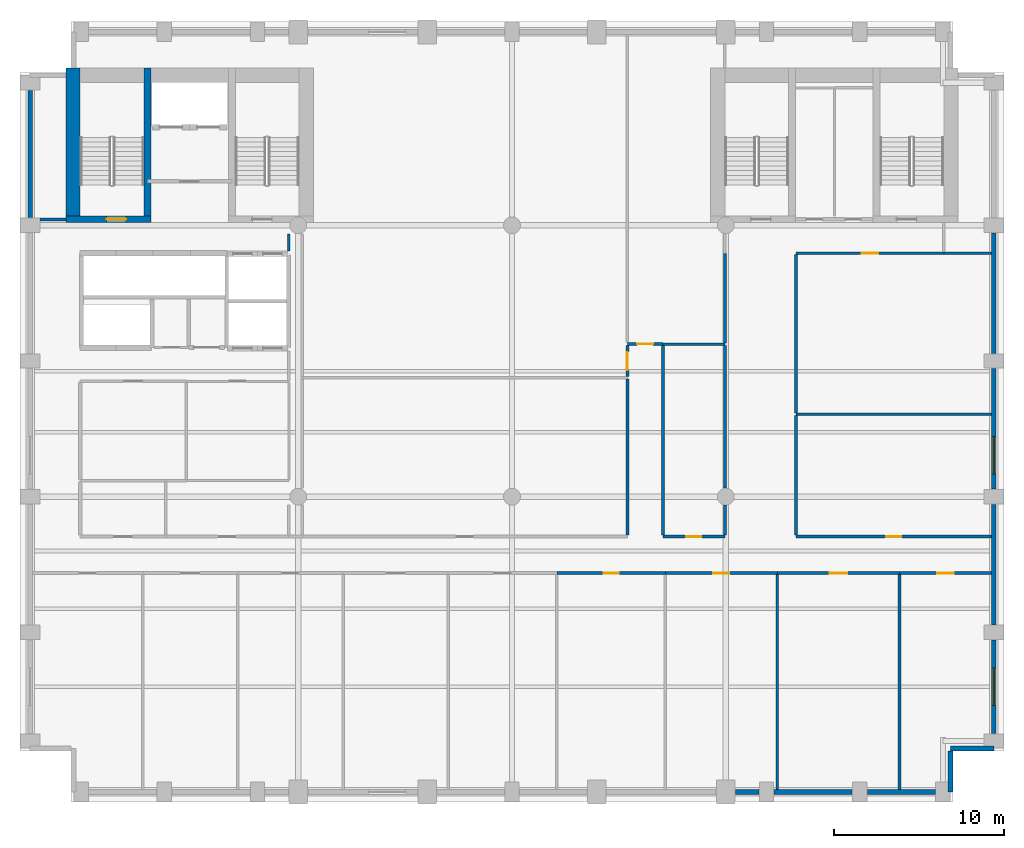
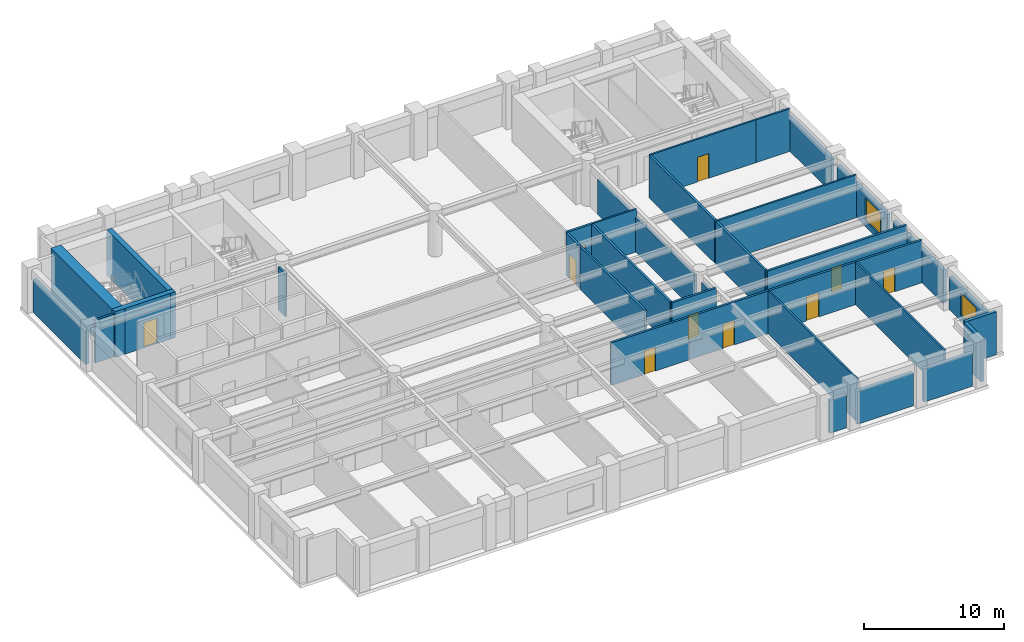
# One storey, part 4 of 8: 36 walls, 10 doors, 2 windows, 12 openings.
"""IFC4 building model written with IfcOpenShell, lengths in metres."""

from ifc_helpers import new_model, si_unit, direction, frame, frame_2d, origin, place, context, subcontext, project, spatial, rectangle, extrude, material, layer, layer_set, type_object, element, fill, save


model = new_model("IFC4")

# Units and contexts
model_context = context("Model", 3, precision=1e-05, world=origin(), true_north=direction((0.0, 1.0)))
body_context = subcontext(model_context, "Body", "Model", "MODEL_VIEW")
ifc_project = project(units=[si_unit("LENGTHUNIT", "METRE"), si_unit("AREAUNIT", "SQUARE_METRE"), si_unit("VOLUMEUNIT", "CUBIC_METRE"), si_unit("PLANEANGLEUNIT", "RADIAN"), si_unit("MASSUNIT", "GRAM", prefix="KILO")], contexts=[model_context])

# Site, building, storey
site_placement = place(None, origin())
site = spatial("IfcSite", under=ifc_project, at=site_placement, CompositionType="ELEMENT")
building_placement = place(site_placement, origin())
building = spatial("IfcBuilding", under=site, at=building_placement, Name="Sulina Concourse Tower", CompositionType="ELEMENT")
storey_placement = place(building_placement, frame((0.0, 0.0, 148.60009765625)))
storey = spatial("IfcBuildingStorey", under=building, at=storey_placement, Name="L36", CompositionType="ELEMENT", Elevation=148.60009765625)

# Walls
ifc_material_1 = material(Name="Gypsum board on steel stud", Category="steel")
ifc_layer_1 = layer(ifc_material_1, 0.14990234375)
ifc_layer_set_1 = layer_set([ifc_layer_1], Name="Gypsum board on steel stud")
wall_type_1 = type_object("IfcWallType", Name="Inter-Tenancy Acoustic Partition 150mm", PredefinedType="PARTITIONING", material=ifc_layer_set_1)
wall_1_placement = place(storey_placement, frame((45.75, 22.85009765625, 0.0), z_axis=(0.0, 0.0, 1.0), x_axis=(1.0, 0.0, 0.0)))
element("IfcWall", 1, at=wall_1_placement, inside=storey, type_object=wall_type_1, Name="L36 interior partition 019", PredefinedType="PARTITIONING", context=body_context, shape_type="SweptSolid", body=[
    extrude(rectangle(XDim=11.510009765625, YDim=0.14990234375, at=frame_2d((5.7548828125, 0.0))), origin(), (0.0, 0.0, 1.0), 3.724853515625),
])
wall_2_placement = place(storey_placement, frame((37.89990234375, 27.0, 0.0), z_axis=(0.0, 0.0, 1.0), x_axis=(1.0, 0.0, 0.0)))
element("IfcWall", 2, at=wall_2_placement, inside=storey, type_object=wall_type_1, Name="L36 interior partition 026", PredefinedType="PARTITIONING", context=body_context, shape_type="SweptSolid", body=[
    extrude(rectangle(XDim=3.650146484375, YDim=0.14990234375, at=frame_2d((1.8251953125, 0.0))), origin(), (0.0, 0.0, 1.0), 3.724853515625),
])

# Wall, opening, door
wall_3_placement = place(storey_placement, frame((45.75, 32.35009765625, 0.0), z_axis=(0.0, 0.0, 1.0), x_axis=(1.0, 0.0, 0.0)))
wall_3 = element("IfcWall", 3, at=wall_3_placement, inside=storey, type_object=wall_type_1, Name="L36 interior partition 027", PredefinedType="PARTITIONING", context=body_context, shape_type="SweptSolid", body=[
    extrude(rectangle(XDim=8.699951171875, YDim=0.14990234375, at=frame_2d((4.35009765625, 0.0))), origin(), (0.0, 0.0, 1.0), 3.724853515625),
])
opening_1_placement = place(wall_3_placement, frame((3.875, 0.0, 0.0)))
opening_1 = element("IfcOpeningElement", 4, at=opening_1_placement, cuts=wall_3, Name="Opening DR-19", PredefinedType="OPENING", context=body_context, shape_type="SweptSolid", body=[
    extrude(rectangle(XDim=0.949951171875, YDim=2.14990234375, at=frame_2d((0.47509765625, 1.074951171875))), frame((0.0, 0.0849609375, 0.0), z_axis=(0.0, -1.0, 0.0), x_axis=(1.0, 0.0, 0.0)), (0.0, 0.0, 1.0), 0.169921875),
])
ifc_material_2 = material(Name="Oak-veneered acoustic timber leaf", Category="wood")
ifc_layer_2 = layer(ifc_material_2, 0.050048828125)
ifc_layer_set_2 = layer_set([ifc_layer_2], Name="Oak-veneered acoustic timber leaf")
door_type_1 = type_object("IfcDoorType", Name="Cellular Office & Meeting Door 950x2150", OperationType="NOTDEFINED", PredefinedType="DOOR", material=ifc_layer_set_2)
door_1_placement = place(opening_1_placement, origin())
door_1 = element("IfcDoor", 5, at=door_1_placement, inside=storey, type_object=door_type_1, Name="L36 interior door L36-NE2", OperationType="SINGLE_SWING_RIGHT", OverallHeight=2.14990234375, OverallWidth=0.949951171875, PredefinedType="DOOR", context=body_context, shape_type="SweptSolid", body=[
    extrude(rectangle(XDim=0.949951171875, YDim=2.14990234375, at=frame_2d((0.47509765625, 1.074951171875))), frame((0.0, 0.02490234375, 0.0), z_axis=(0.0, -1.0, 0.0), x_axis=(1.0, 0.0, 0.0)), (0.0, 0.0, 1.0), 0.050048828125),
])
fill(opening_1, door_1)

# Walls
wall_4_placement = place(storey_placement, frame((54.449951171875, 32.35009765625, 0.0), z_axis=(0.0, 0.0, 1.0), x_axis=(1.0, 0.0, 0.0)))
element("IfcWall", 6, at=wall_4_placement, inside=storey, type_object=wall_type_1, Name="L36 interior partition 028", PredefinedType="PARTITIONING", context=body_context, shape_type="SweptSolid", body=[
    extrude(rectangle(XDim=2.81005859375, YDim=0.14990234375, at=frame_2d((1.405029296875, 0.0))), origin(), (0.0, 0.0, 1.0), 3.724853515625),
])
wall_5_placement = place(storey_placement, frame((15.85009765625, 32.469970703125, 0.0), z_axis=(0.0, 0.0, 1.0), x_axis=(0.0, 1.0, 0.0)))
element("IfcWall", 7, at=wall_5_placement, inside=storey, type_object=wall_type_1, Name="L36 interior partition 042", PredefinedType="PARTITIONING", context=body_context, shape_type="SweptSolid", body=[
    extrude(rectangle(XDim=1.030029296875, YDim=0.14990234375, at=frame_2d((0.51513671875, 0.0))), origin(), (0.0, 0.0, 1.0), 3.724853515625),
])
for number, where, z_axis, x_axis, name in (
    (8, (44.639892578125, 0.739990234375, 0.0), (0.0, 0.0, 1.0), (0.0, 1.0, 0.0), "L36 interior partition 059"),
    (9, (51.840087890625, 0.739990234375, 0.0), (0.0, 0.0, 1.0), (0.0, 1.0, 0.0), "L36 interior partition 063"),
):
    element("IfcWall", number, at=place(storey_placement, frame(where, z_axis=z_axis, x_axis=x_axis)), inside=storey, type_object=wall_type_1, Name=name, PredefinedType="PARTITIONING", context=body_context, shape_type="SweptSolid", body=[
        extrude(rectangle(XDim=12.669921875, YDim=0.14990234375, at=frame_2d((6.3349609375, 0.0))), origin(), (0.0, 0.0, 1.0), 3.724853515625),
    ])

# Wall, opening, door
ifc_material_3 = material(Name="Gypsum board on steel stud", Category="steel")
ifc_layer_3 = layer(ifc_material_3, 0.179931640625)
ifc_layer_set_3 = layer_set([ifc_layer_3], Name="Gypsum board on steel stud")
wall_type_2 = type_object("IfcWallType", Name="Protected Corridor & Riser Partition 180mm", PredefinedType="PARTITIONING", material=ifc_layer_set_3)
wall_6_placement = place(storey_placement, frame((31.639892578125, 13.5, 0.0), z_axis=(0.0, 0.0, 1.0), x_axis=(1.0, 0.0, 0.0)))
wall_6 = element("IfcWall", 10, at=wall_6_placement, inside=storey, type_object=wall_type_2, Name="L36 interior partition 006", PredefinedType="PARTITIONING", context=body_context, shape_type="SweptSolid", body=[
    extrude(rectangle(XDim=6.400146484375, YDim=0.179931640625, at=frame_2d((3.2001953125, 0.0))), origin(), (0.0, 0.0, 1.0), 3.724853515625),
])
opening_2_placement = place(wall_6_placement, frame((2.760009765625, 0.0, 0.0)))
opening_2 = element("IfcOpeningElement", 11, at=opening_2_placement, cuts=wall_6, Name="Opening DR-38", PredefinedType="OPENING", context=body_context, shape_type="SweptSolid", body=[
    extrude(rectangle(XDim=0.8798828125, YDim=2.10009765625, at=frame_2d((0.43994140625, 1.050048828125))), frame((0.0, 0.099853515625, 0.0), z_axis=(0.0, -1.0, 0.0), x_axis=(1.0, 0.0, 0.0)), (0.0, 0.0, 1.0), 0.199951171875),
])
ifc_material_4 = material(Name="Galvanised steel acoustic fire leaf", Category="steel")
ifc_layer_4 = layer(ifc_material_4, 0.050048828125)
ifc_layer_set_4 = layer_set([ifc_layer_4], Name="Galvanised steel acoustic fire leaf")
door_type_2 = type_object("IfcDoorType", Name="Service Riser Fire Door 880x2100", OperationType="NOTDEFINED", PredefinedType="DOOR", material=ifc_layer_set_4)
door_2_placement = place(opening_2_placement, origin())
door_2 = element("IfcDoor", 12, at=door_2_placement, inside=storey, type_object=door_type_2, Name="L36 interior door L36-S06", OperationType="SINGLE_SWING_LEFT", OverallHeight=2.10009765625, OverallWidth=0.8798828125, PredefinedType="DOOR", context=body_context, shape_type="SweptSolid", body=[
    extrude(rectangle(XDim=0.8798828125, YDim=2.10009765625, at=frame_2d((0.43994140625, 1.050048828125))), frame((0.0, 0.02490234375, 0.0), z_axis=(0.0, -1.0, 0.0), x_axis=(1.0, 0.0, 0.0)), (0.0, 0.0, 1.0), 0.050048828125),
])
fill(opening_2, door_2)

wall_7_placement = place(storey_placement, frame((38.0400390625, 13.5, 0.0), z_axis=(0.0, 0.0, 1.0), x_axis=(1.0, 0.0, 0.0)))
wall_7 = element("IfcWall", 13, at=wall_7_placement, inside=storey, type_object=wall_type_2, Name="L36 interior partition 007", PredefinedType="PARTITIONING", context=body_context, shape_type="SweptSolid", body=[
    extrude(rectangle(XDim=6.599853515625, YDim=0.179931640625, at=frame_2d((3.2998046875, 0.0))), origin(), (0.0, 0.0, 1.0), 3.724853515625),
])
opening_3_placement = place(wall_7_placement, frame((2.824951171875, 0.0, 0.0)))
opening_3 = element("IfcOpeningElement", 14, at=opening_3_placement, cuts=wall_7, Name="Opening DR-19", PredefinedType="OPENING", context=body_context, shape_type="SweptSolid", body=[
    extrude(rectangle(XDim=0.949951171875, YDim=2.14990234375, at=frame_2d((0.47509765625, 1.074951171875))), frame((0.0, 0.099853515625, 0.0), z_axis=(0.0, -1.0, 0.0), x_axis=(1.0, 0.0, 0.0)), (0.0, 0.0, 1.0), 0.199951171875),
])
door_3_placement = place(opening_3_placement, origin())
door_3 = element("IfcDoor", 15, at=door_3_placement, inside=storey, type_object=door_type_1, Name="L36 interior door L36-S07", OperationType="SINGLE_SWING_RIGHT", OverallHeight=2.14990234375, OverallWidth=0.949951171875, PredefinedType="DOOR", context=body_context, shape_type="SweptSolid", body=[
    extrude(rectangle(XDim=0.949951171875, YDim=2.14990234375, at=frame_2d((0.47509765625, 1.074951171875))), frame((0.0, 0.02490234375, 0.0), z_axis=(0.0, -1.0, 0.0), x_axis=(1.0, 0.0, 0.0)), (0.0, 0.0, 1.0), 0.050048828125),
])
fill(opening_3, door_3)

wall_8_placement = place(storey_placement, frame((44.639892578125, 13.5, 0.0), z_axis=(0.0, 0.0, 1.0), x_axis=(1.0, 0.0, 0.0)))
wall_8 = element("IfcWall", 16, at=wall_8_placement, inside=storey, type_object=wall_type_2, Name="L36 interior partition 008", PredefinedType="PARTITIONING", context=body_context, shape_type="SweptSolid", body=[
    extrude(rectangle(XDim=7.2001953125, YDim=0.179931640625, at=frame_2d((3.60009765625, 0.0))), origin(), (0.0, 0.0, 1.0), 3.724853515625),
])
opening_4_placement = place(wall_8_placement, frame((3.074951171875, 0.0, 0.0)))
opening_4 = element("IfcOpeningElement", 17, at=opening_4_placement, cuts=wall_8, Name="Opening DR-37", PredefinedType="OPENING", context=body_context, shape_type="SweptSolid", body=[
    extrude(rectangle(XDim=1.050048828125, YDim=2.14990234375, at=frame_2d((0.52490234375, 1.074951171875))), frame((0.0, 0.099853515625, 0.0), z_axis=(0.0, -1.0, 0.0), x_axis=(1.0, 0.0, 0.0)), (0.0, 0.0, 1.0), 0.199951171875),
])
ifc_material_5 = material(Name="Oak-veneered fire door leaf")
ifc_layer_5 = layer(ifc_material_5, 0.050048828125)
ifc_layer_set_5 = layer_set([ifc_layer_5], Name="Oak-veneered fire door leaf")
door_type_3 = type_object("IfcDoorType", Name="Tenant Suite Entrance Fire Door 1050x2150", OperationType="NOTDEFINED", PredefinedType="DOOR", material=ifc_layer_set_5)
door_4_placement = place(opening_4_placement, origin())
door_4 = element("IfcDoor", 18, at=door_4_placement, inside=storey, type_object=door_type_3, Name="L36 interior door L36-S08", OperationType="SINGLE_SWING_LEFT", OverallHeight=2.14990234375, OverallWidth=1.050048828125, PredefinedType="DOOR", context=body_context, shape_type="SweptSolid", body=[
    extrude(rectangle(XDim=1.050048828125, YDim=2.14990234375, at=frame_2d((0.52490234375, 1.074951171875))), frame((0.0, 0.02490234375, 0.0), z_axis=(0.0, -1.0, 0.0), x_axis=(1.0, 0.0, 0.0)), (0.0, 0.0, 1.0), 0.050048828125),
])
fill(opening_4, door_4)

wall_9_placement = place(storey_placement, frame((51.840087890625, 13.5, 0.0), z_axis=(0.0, 0.0, 1.0), x_axis=(1.0, 0.0, 0.0)))
wall_9 = element("IfcWall", 19, at=wall_9_placement, inside=storey, type_object=wall_type_2, Name="L36 interior partition 009", PredefinedType="PARTITIONING", context=body_context, shape_type="SweptSolid", body=[
    extrude(rectangle(XDim=5.419921875, YDim=0.179931640625, at=frame_2d((2.7099609375, 0.0))), origin(), (0.0, 0.0, 1.0), 3.724853515625),
])
opening_5_placement = place(wall_9_placement, frame((2.235107421875, 0.0, 0.0)))
opening_5 = element("IfcOpeningElement", 20, at=opening_5_placement, cuts=wall_9, Name="Opening DR-19", PredefinedType="OPENING", context=body_context, shape_type="SweptSolid", body=[
    extrude(rectangle(XDim=0.949951171875, YDim=2.14990234375, at=frame_2d((0.47509765625, 1.074951171875))), frame((0.0, 0.099853515625, 0.0), z_axis=(0.0, -1.0, 0.0), x_axis=(1.0, 0.0, 0.0)), (0.0, 0.0, 1.0), 0.199951171875),
])
door_5_placement = place(opening_5_placement, origin())
door_5 = element("IfcDoor", 21, at=door_5_placement, inside=storey, type_object=door_type_1, Name="L36 interior door L36-S09", OperationType="SINGLE_SWING_RIGHT", OverallHeight=2.14990234375, OverallWidth=0.949951171875, PredefinedType="DOOR", context=body_context, shape_type="SweptSolid", body=[
    extrude(rectangle(XDim=0.949951171875, YDim=2.14990234375, at=frame_2d((0.47509765625, 1.074951171875))), frame((0.0, 0.02490234375, 0.0), z_axis=(0.0, -1.0, 0.0), x_axis=(1.0, 0.0, 0.0)), (0.0, 0.0, 1.0), 0.050048828125),
])
fill(opening_5, door_5)

wall_10_placement = place(storey_placement, frame((37.89990234375, 15.64990234375, 0.0), z_axis=(0.0, 0.0, 1.0), x_axis=(1.0, 0.0, 0.0)))
wall_10 = element("IfcWall", 22, at=wall_10_placement, inside=storey, type_object=wall_type_2, Name="L36 interior partition 014", PredefinedType="PARTITIONING", context=body_context, shape_type="SweptSolid", body=[
    extrude(rectangle(XDim=3.650146484375, YDim=0.179931640625, at=frame_2d((1.8251953125, 0.0))), origin(), (0.0, 0.0, 1.0), 3.724853515625),
])
opening_6_placement = place(wall_10_placement, frame((1.385009765625, 0.0, 0.0)))
opening_6 = element("IfcOpeningElement", 23, at=opening_6_placement, cuts=wall_10, Name="Opening DR-38", PredefinedType="OPENING", context=body_context, shape_type="SweptSolid", body=[
    extrude(rectangle(XDim=0.8798828125, YDim=2.10009765625, at=frame_2d((0.43994140625, 1.050048828125))), frame((0.0, 0.099853515625, 0.0), z_axis=(0.0, -1.0, 0.0), x_axis=(1.0, 0.0, 0.0)), (0.0, 0.0, 1.0), 0.199951171875),
])
door_6_placement = place(opening_6_placement, origin())
door_6 = element("IfcDoor", 24, at=door_6_placement, inside=storey, type_object=door_type_2, Name="L36 interior door L36-NC3", OperationType="SINGLE_SWING_RIGHT", OverallHeight=2.10009765625, OverallWidth=0.8798828125, PredefinedType="DOOR", context=body_context, shape_type="SweptSolid", body=[
    extrude(rectangle(XDim=0.8798828125, YDim=2.10009765625, at=frame_2d((0.43994140625, 1.050048828125))), frame((0.0, 0.02490234375, 0.0), z_axis=(0.0, -1.0, 0.0), x_axis=(1.0, 0.0, 0.0)), (0.0, 0.0, 1.0), 0.050048828125),
])
fill(opening_6, door_6)

wall_11_placement = place(storey_placement, frame((45.75, 15.64990234375, 0.0), z_axis=(0.0, 0.0, 1.0), x_axis=(1.0, 0.0, 0.0)))
wall_11 = element("IfcWall", 25, at=wall_11_placement, inside=storey, type_object=wall_type_2, Name="L36 interior partition 015", PredefinedType="PARTITIONING", context=body_context, shape_type="SweptSolid", body=[
    extrude(rectangle(XDim=11.510009765625, YDim=0.179931640625, at=frame_2d((5.7548828125, 0.0))), origin(), (0.0, 0.0, 1.0), 3.724853515625),
])
opening_7_placement = place(wall_11_placement, frame((5.31494140625, 0.0, 0.0)))
opening_7 = element("IfcOpeningElement", 26, at=opening_7_placement, cuts=wall_11, Name="Opening DR-38", PredefinedType="OPENING", context=body_context, shape_type="SweptSolid", body=[
    extrude(rectangle(XDim=0.8798828125, YDim=2.10009765625, at=frame_2d((0.43994140625, 1.050048828125))), frame((0.0, 0.099853515625, 0.0), z_axis=(0.0, -1.0, 0.0), x_axis=(1.0, 0.0, 0.0)), (0.0, 0.0, 1.0), 0.199951171875),
])
door_7_placement = place(opening_7_placement, origin())
door_7 = element("IfcDoor", 27, at=door_7_placement, inside=storey, type_object=door_type_2, Name="L36 interior door L36-NE1", OperationType="SINGLE_SWING_LEFT", OverallHeight=2.10009765625, OverallWidth=0.8798828125, PredefinedType="DOOR", context=body_context, shape_type="SweptSolid", body=[
    extrude(rectangle(XDim=0.8798828125, YDim=2.10009765625, at=frame_2d((0.43994140625, 1.050048828125))), frame((0.0, 0.02490234375, 0.0), z_axis=(0.0, -1.0, 0.0), x_axis=(1.0, 0.0, 0.0)), (0.0, 0.0, 1.0), 0.050048828125),
])
fill(opening_7, door_7)

wall_12_placement = place(storey_placement, frame((35.800048828125, 27.0, 0.0), z_axis=(0.0, 0.0, 1.0), x_axis=(1.0, 0.0, 0.0)))
wall_12 = element("IfcWall", 28, at=wall_12_placement, inside=storey, type_object=wall_type_2, Name="L36 interior partition 025", PredefinedType="PARTITIONING", context=body_context, shape_type="SweptSolid", body=[
    extrude(rectangle(XDim=2.099853515625, YDim=0.179931640625, at=frame_2d((1.0498046875, 0.0))), origin(), (0.0, 0.0, 1.0), 3.724853515625),
])
opening_8_placement = place(wall_12_placement, frame((0.574951171875, 0.0, 0.0)))
opening_8 = element("IfcOpeningElement", 29, at=opening_8_placement, cuts=wall_12, Name="Opening DR-19", PredefinedType="OPENING", context=body_context, shape_type="SweptSolid", body=[
    extrude(rectangle(XDim=0.949951171875, YDim=2.14990234375, at=frame_2d((0.47509765625, 1.074951171875))), frame((0.0, 0.099853515625, 0.0), z_axis=(0.0, -1.0, 0.0), x_axis=(1.0, 0.0, 0.0)), (0.0, 0.0, 1.0), 0.199951171875),
])
door_8_placement = place(opening_8_placement, origin())
door_8 = element("IfcDoor", 30, at=door_8_placement, inside=storey, type_object=door_type_1, Name="L36 interior door L36-NC4", OperationType="SINGLE_SWING_LEFT", OverallHeight=2.14990234375, OverallWidth=0.949951171875, PredefinedType="DOOR", context=body_context, shape_type="SweptSolid", body=[
    extrude(rectangle(XDim=0.949951171875, YDim=2.14990234375, at=frame_2d((0.47509765625, 1.074951171875))), frame((0.0, 0.02490234375, 0.0), z_axis=(0.0, -1.0, 0.0), x_axis=(1.0, 0.0, 0.0)), (0.0, 0.0, 1.0), 0.050048828125),
])
fill(opening_8, door_8)

# Walls
wall_13_placement = place(storey_placement, frame((1.175048828125, 34.35009765625, 0.0), z_axis=(0.0, 0.0, 1.0), x_axis=(1.0, 0.0, 0.0)))
element("IfcWall", 31, at=wall_13_placement, inside=storey, type_object=wall_type_2, Name="L36 interior partition 029", PredefinedType="PARTITIONING", context=body_context, shape_type="SweptSolid", body=[
    extrude(rectangle(XDim=1.52490234375, YDim=0.179931640625, at=frame_2d((0.762451171875, 0.0))), origin(), (0.0, 0.0, 1.0), 3.724853515625),
])
wall_14_placement = place(storey_placement, frame((35.800048828125, 15.739990234375, 0.0), z_axis=(0.0, 0.0, 1.0), x_axis=(0.0, 1.0, 0.0)))
element("IfcWall", 32, at=wall_14_placement, inside=storey, type_object=wall_type_2, Name="L36 interior partition 049", PredefinedType="PARTITIONING", context=body_context, shape_type="SweptSolid", body=[
    extrude(rectangle(XDim=9.18505859375, YDim=0.179931640625, at=frame_2d((4.592529296875, 0.0))), origin(), (0.0, 0.0, 1.0), 3.724853515625),
])

# Wall, opening, door
wall_15_placement = place(storey_placement, frame((35.800048828125, 25.074951171875, 0.0), z_axis=(0.0, 0.0, 1.0), x_axis=(0.0, 1.0, 0.0)))
wall_15 = element("IfcWall", 33, at=wall_15_placement, inside=storey, type_object=wall_type_2, Name="L36 interior partition 050", PredefinedType="PARTITIONING", context=body_context, shape_type="SweptSolid", body=[
    extrude(rectangle(XDim=1.8349609375, YDim=0.179931640625, at=frame_2d((0.91748046875, 0.0))), origin(), (0.0, 0.0, 1.0), 3.724853515625),
])
opening_9_placement = place(wall_15_placement, frame((0.392578125, 0.0, 0.0)))
opening_9 = element("IfcOpeningElement", 34, at=opening_9_placement, cuts=wall_15, Name="Opening DR-37", PredefinedType="OPENING", context=body_context, shape_type="SweptSolid", body=[
    extrude(rectangle(XDim=1.050048828125, YDim=2.14990234375, at=frame_2d((0.52490234375, 1.074951171875))), frame((0.0, 0.099853515625, 0.0), z_axis=(0.0, -1.0, 0.0), x_axis=(1.0, 0.0, 0.0)), (0.0, 0.0, 1.0), 0.199951171875),
])
door_9_placement = place(opening_9_placement, origin())
door_9 = element("IfcDoor", 35, at=door_9_placement, inside=storey, type_object=door_type_3, Name="L36 interior door L36-NC2", OperationType="SINGLE_SWING_LEFT", OverallHeight=2.14990234375, OverallWidth=1.050048828125, PredefinedType="DOOR", context=body_context, shape_type="SweptSolid", body=[
    extrude(rectangle(XDim=1.050048828125, YDim=2.14990234375, at=frame_2d((0.52490234375, 1.074951171875))), frame((0.0, 0.02490234375, 0.0), z_axis=(0.0, -1.0, 0.0), x_axis=(1.0, 0.0, 0.0)), (0.0, 0.0, 1.0), 0.050048828125),
])
fill(opening_9, door_9)

# Walls
wall_16_placement = place(storey_placement, frame((37.89990234375, 15.739990234375, 0.0), z_axis=(0.0, 0.0, 1.0), x_axis=(0.0, 1.0, 0.0)))
element("IfcWall", 36, at=wall_16_placement, inside=storey, type_object=wall_type_2, Name="L36 interior partition 052", PredefinedType="PARTITIONING", context=body_context, shape_type="SweptSolid", body=[
    extrude(rectangle(XDim=11.169921875, YDim=0.179931640625, at=frame_2d((5.5849609375, 0.0))), origin(), (0.0, 0.0, 1.0), 3.724853515625),
])
wall_17_placement = place(storey_placement, frame((41.550048828125, 15.739990234375, 0.0), z_axis=(0.0, 0.0, 1.0), x_axis=(0.0, 1.0, 0.0)))
element("IfcWall", 37, at=wall_17_placement, inside=storey, type_object=wall_type_2, Name="L36 interior partition 054", PredefinedType="PARTITIONING", context=body_context, shape_type="SweptSolid", body=[
    extrude(rectangle(XDim=1.760009765625, YDim=0.179931640625, at=frame_2d((0.8798828125, 0.0))), origin(), (0.0, 0.0, 1.0), 3.06982421875),
])
wall_18_placement = place(storey_placement, frame((41.550048828125, 18.5, 0.0), z_axis=(0.0, 0.0, 1.0), x_axis=(0.0, 1.0, 0.0)))
element("IfcWall", 38, at=wall_18_placement, inside=storey, type_object=wall_type_2, Name="L36 interior partition 055", PredefinedType="PARTITIONING", context=body_context, shape_type="SweptSolid", body=[
    extrude(rectangle(XDim=8.425048828125, YDim=0.179931640625, at=frame_2d((4.21240234375, 0.0))), origin(), (0.0, 0.0, 1.0), 3.06982421875),
])
wall_19_placement = place(storey_placement, frame((41.550048828125, 27.074951171875, 0.0), z_axis=(0.0, 0.0, 1.0), x_axis=(0.0, 1.0, 0.0)))
element("IfcWall", 39, at=wall_19_placement, inside=storey, type_object=wall_type_2, Name="L36 interior partition 056", PredefinedType="PARTITIONING", context=body_context, shape_type="SweptSolid", body=[
    extrude(rectangle(XDim=5.275146484375, YDim=0.179931640625, at=frame_2d((2.6376953125, 0.0))), origin(), (0.0, 0.0, 1.0), 3.06982421875),
])
wall_20_placement = place(storey_placement, frame((45.75, 15.739990234375, 0.0), z_axis=(0.0, 0.0, 1.0), x_axis=(0.0, 1.0, 0.0)))
element("IfcWall", 40, at=wall_20_placement, inside=storey, type_object=wall_type_2, Name="L36 interior partition 060", PredefinedType="PARTITIONING", context=body_context, shape_type="SweptSolid", body=[
    extrude(rectangle(XDim=7.034912109375, YDim=0.179931640625, at=frame_2d((3.517578125, 0.0))), origin(), (0.0, 0.0, 1.0), 3.724853515625),
])
wall_21_placement = place(storey_placement, frame((45.75, 22.925048828125, 0.0), z_axis=(0.0, 0.0, 1.0), x_axis=(0.0, 1.0, 0.0)))
element("IfcWall", 41, at=wall_21_placement, inside=storey, type_object=wall_type_2, Name="L36 interior partition 061", PredefinedType="PARTITIONING", context=body_context, shape_type="SweptSolid", body=[
    extrude(rectangle(XDim=9.349853515625, YDim=0.179931640625, at=frame_2d((4.6748046875, 0.0))), origin(), (0.0, 0.0, 1.0), 3.724853515625),
])

# Wall, opening, door
ifc_material_6 = material(Name="Concrete C60/75", Category="concrete")
ifc_layer_6 = layer(ifc_material_6, 0.39990234375)
ifc_layer_set_6 = layer_set([ifc_layer_6], Name="Concrete C60/75")
wall_type_3 = type_object("IfcWallType", Name="Protected Stair Core Shear Wall 400mm", PredefinedType="SHEAR", material=ifc_layer_set_6)
wall_22_placement = place(storey_placement, frame((2.699951171875, 34.35009765625, 0.0), z_axis=(0.0, 0.0, 1.0), x_axis=(1.0, 0.0, 0.0)))
wall_22 = element("IfcWall", 42, at=wall_22_placement, inside=storey, type_object=wall_type_3, Name="L36 west core shear wall CW-WS1", PredefinedType="SHEAR", context=body_context, shape_type="SweptSolid", body=[
    extrude(rectangle(XDim=5.010009765625, YDim=0.39990234375, at=frame_2d((2.5048828125, 0.0))), origin(), (0.0, 0.0, 1.0), 4.0),
])
opening_10_placement = place(wall_22_placement, frame((2.39990234375, 0.0, 0.0)))
opening_10 = element("IfcOpeningElement", 43, at=opening_10_placement, cuts=wall_22, Name="Opening DR-60", PredefinedType="OPENING", context=body_context, shape_type="SweptSolid", body=[
    extrude(rectangle(XDim=1.14990234375, YDim=2.199951171875, at=frame_2d((0.574951171875, 1.10009765625))), frame((0.0, 0.2099609375, 0.0), z_axis=(0.0, -1.0, 0.0), x_axis=(1.0, 0.0, 0.0)), (0.0, 0.0, 1.0), 0.419921875),
])
ifc_material_7 = material(Name="Galvanised steel acoustic fire leaf", Category="steel")
ifc_layer_7 = layer(ifc_material_7, 0.054931640625)
ifc_layer_set_7 = layer_set([ifc_layer_7], Name="Galvanised steel acoustic fire leaf")
door_type_4 = type_object("IfcDoorType", Name="Protected Exit Stair Fire Door 1150x2200", OperationType="NOTDEFINED", PredefinedType="DOOR", material=ifc_layer_set_7)
door_10_placement = place(opening_10_placement, origin())
door_10 = element("IfcDoor", 44, at=door_10_placement, inside=storey, type_object=door_type_4, Name="L36 stair ST-1 lobby fire door", OperationType="SINGLE_SWING_LEFT", OverallHeight=2.199951171875, OverallWidth=1.14990234375, PredefinedType="DOOR", context=body_context, shape_type="SweptSolid", body=[
    extrude(rectangle(XDim=1.14990234375, YDim=2.199951171875, at=frame_2d((0.574951171875, 1.10009765625))), frame((0.0, 0.02490234375, 0.0), z_axis=(0.0, -1.0, 0.0), x_axis=(1.0, 0.0, 0.0)), (0.0, 0.0, 1.0), 0.050048828125),
])
fill(opening_10, door_10)

# Walls
wall_23_placement = place(storey_placement, frame((7.510009765625, 34.14990234375, 0.0), z_axis=(0.0, 0.0, 1.0), x_axis=(0.0, 1.0, 0.0)))
element("IfcWall", 45, at=wall_23_placement, inside=storey, type_object=wall_type_3, Name="L36 west core shear wall SW-ST1", PredefinedType="SHEAR", context=body_context, shape_type="SweptSolid", body=[
    extrude(rectangle(XDim=9.130126953125, YDim=0.39990234375, at=frame_2d((4.56494140625, 0.0))), origin(), (0.0, 0.0, 1.0), 4.0),
])
ifc_material_8 = material(Name="Concrete C60/75", Category="concrete")
ifc_layer_8 = layer(ifc_material_8, 0.85009765625)
ifc_layer_set_8 = layer_set([ifc_layer_8], Name="Concrete C60/75")
wall_type_4 = type_object("IfcWallType", Name="Rear Core Shear Wall 850mm", PredefinedType="SHEAR", material=ifc_layer_set_8)
wall_24_placement = place(storey_placement, frame((3.125, 34.14990234375, 0.0), z_axis=(0.0, 0.0, 1.0), x_axis=(0.0, 1.0, 0.0)))
element("IfcWall", 46, at=wall_24_placement, inside=storey, type_object=wall_type_4, Name="L36 west core shear wall CW-WW", PredefinedType="SHEAR", context=body_context, shape_type="SweptSolid", body=[
    extrude(rectangle(XDim=9.130126953125, YDim=0.85009765625, at=frame_2d((4.56494140625, 0.0))), origin(), (0.0, 0.0, 1.0), 4.0),
])
ifc_material_9 = material(Name="Precast concrete C50/60", Category="concrete")
ifc_layer_9 = layer(ifc_material_9, 0.280029296875)
ifc_layer_set_9 = layer_set([ifc_layer_9], Name="Precast concrete C50/60")
wall_type_5 = type_object("IfcWallType", Name="Typical Precast Masonry-Frame Facade Wall 280mm", PredefinedType="SOLIDWALL", material=ifc_layer_set_9)
wall_25_placement = place(storey_placement, frame((43.554931640625, 0.60009765625, 0.0), z_axis=(0.0, 0.0, 1.0), x_axis=(-1.0, 0.0, 0.0)))
element("IfcWall", 47, at=wall_25_placement, inside=storey, type_object=wall_type_5, Name="L36 exterior precast wall S8", PredefinedType="SOLIDWALL", context=body_context, shape_type="SweptSolid", body=[
    extrude(rectangle(XDim=1.385009765625, YDim=0.280029296875, at=frame_2d((0.6923828125, 0.0))), origin(), (0.0, 0.0, 1.0), 2.875),
])
wall_26_placement = place(storey_placement, frame((49.054931640625, 0.60009765625, 0.0), z_axis=(0.0, 0.0, 1.0), x_axis=(-1.0, 0.0, 0.0)))
element("IfcWall", 48, at=wall_26_placement, inside=storey, type_object=wall_type_5, Name="L36 exterior precast wall S9", PredefinedType="SOLIDWALL", context=body_context, shape_type="SweptSolid", body=[
    extrude(rectangle(XDim=4.60986328125, YDim=0.280029296875, at=frame_2d((2.304931640625, 0.0))), origin(), (0.0, 0.0, 1.0), 2.875),
])
wall_27_placement = place(storey_placement, frame((53.955078125, 0.60009765625, 0.0), z_axis=(0.0, 0.0, 1.0), x_axis=(-1.0, 0.0, 0.0)))
element("IfcWall", 49, at=wall_27_placement, inside=storey, type_object=wall_type_5, Name="L36 exterior precast wall S10", PredefinedType="SOLIDWALL", context=body_context, shape_type="SweptSolid", body=[
    extrude(rectangle(XDim=4.010009765625, YDim=0.280029296875, at=frame_2d((2.0048828125, 0.0))), origin(), (0.0, 0.0, 1.0), 2.875),
])
wall_28_placement = place(storey_placement, frame((0.60009765625, 34.445068359375, 0.0), z_axis=(0.0, 0.0, 1.0), x_axis=(0.0, 1.0, 0.0)))
element("IfcWall", 50, at=wall_28_placement, inside=storey, type_object=wall_type_5, Name="L36 exterior precast wall W5", PredefinedType="SOLIDWALL", context=body_context, shape_type="SweptSolid", body=[
    extrude(rectangle(XDim=7.510009765625, YDim=0.280029296875, at=frame_2d((3.7548828125, 0.0))), origin(), (0.0, 0.0, 1.0), 2.875),
])

# Wall, opening, window
wall_29_placement = place(storey_placement, frame((57.39990234375, 9.554931640625, 0.0), z_axis=(0.0, 0.0, 1.0), x_axis=(0.0, -1.0, 0.0)))
wall_29 = element("IfcWall", 51, at=wall_29_placement, inside=storey, type_object=wall_type_5, Name="L36 exterior precast wall E1", PredefinedType="SOLIDWALL", context=body_context, shape_type="SweptSolid", body=[
    extrude(rectangle(XDim=5.510009765625, YDim=0.280029296875, at=frame_2d((2.7548828125, 0.0))), origin(), (0.0, 0.0, 1.0), 2.875),
])
opening_11_placement = place(wall_29_placement, frame((1.655029296875, 0.0, 0.5)))
opening_11 = element("IfcOpeningElement", 52, at=opening_11_placement, cuts=wall_29, Name="Opening WN-76", PredefinedType="OPENING", context=body_context, shape_type="SweptSolid", body=[
    extrude(rectangle(XDim=2.199951171875, YDim=1.949951171875, at=frame_2d((1.10009765625, 0.97509765625))), frame((0.0, 0.14990234375, 0.0), z_axis=(0.0, -1.0, 0.0), x_axis=(1.0, 0.0, 0.0)), (0.0, 0.0, 1.0), 0.300048828125),
])
ifc_material_10 = material(Name="Low-E solar double glazing in bronze aluminium", Category="aluminium")
window_type = type_object("IfcWindowType", Name="Recessed Spandrel Window 2200x1950", PartitioningType="DOUBLE_PANEL_VERTICAL", PredefinedType="WINDOW", material=ifc_material_10)
window_1_placement = place(opening_11_placement, origin())
window_1 = element("IfcWindow", 53, at=window_1_placement, inside=storey, type_object=window_type, Name="L36 punched window E1-1", OverallHeight=1.949951171875, OverallWidth=2.199951171875, PartitioningType="SINGLE_PANEL", PredefinedType="WINDOW", context=body_context, shape_type="SweptSolid", body=[
    extrude(rectangle(XDim=2.199951171875, YDim=1.949951171875, at=frame_2d((1.10009765625, 0.97509765625))), frame((0.0, 0.030029296875, 0.0), z_axis=(0.0, -1.0, 0.0), x_axis=(1.0, 0.0, 0.0)), (0.0, 0.0, 1.0), 0.06005859375),
])
fill(opening_11, window_1)

# Wall
wall_30_placement = place(storey_placement, frame((57.39990234375, 17.554931640625, 0.0), z_axis=(0.0, 0.0, 1.0), x_axis=(0.0, -1.0, 0.0)))
element("IfcWall", 54, at=wall_30_placement, inside=storey, type_object=wall_type_5, Name="L36 exterior precast wall E2", PredefinedType="SOLIDWALL", context=body_context, shape_type="SweptSolid", body=[
    extrude(rectangle(XDim=7.10986328125, YDim=0.280029296875, at=frame_2d((3.554931640625, 0.0))), origin(), (0.0, 0.0, 1.0), 2.875),
])

# Wall, opening, window
wall_31_placement = place(storey_placement, frame((57.39990234375, 25.554931640625, 0.0), z_axis=(0.0, 0.0, 1.0), x_axis=(0.0, -1.0, 0.0)))
wall_31 = element("IfcWall", 55, at=wall_31_placement, inside=storey, type_object=wall_type_5, Name="L36 exterior precast wall E3", PredefinedType="SOLIDWALL", context=body_context, shape_type="SweptSolid", body=[
    extrude(rectangle(XDim=7.10986328125, YDim=0.280029296875, at=frame_2d((3.554931640625, 0.0))), origin(), (0.0, 0.0, 1.0), 2.875),
])
opening_12_placement = place(wall_31_placement, frame((4.006591796875, 0.0, 0.5)))
opening_12 = element("IfcOpeningElement", 56, at=opening_12_placement, cuts=wall_31, Name="Opening WN-76", PredefinedType="OPENING", context=body_context, shape_type="SweptSolid", body=[
    extrude(rectangle(XDim=2.199951171875, YDim=1.949951171875, at=frame_2d((1.10009765625, 0.97509765625))), frame((0.0, 0.14990234375, 0.0), z_axis=(0.0, -1.0, 0.0), x_axis=(1.0, 0.0, 0.0)), (0.0, 0.0, 1.0), 0.300048828125),
])
window_2_placement = place(opening_12_placement, origin())
window_2 = element("IfcWindow", 57, at=window_2_placement, inside=storey, type_object=window_type, Name="L36 punched window E3-1", OverallHeight=1.949951171875, OverallWidth=2.199951171875, PartitioningType="SINGLE_PANEL", PredefinedType="WINDOW", context=body_context, shape_type="SweptSolid", body=[
    extrude(rectangle(XDim=2.199951171875, YDim=1.949951171875, at=frame_2d((1.10009765625, 0.97509765625))), frame((0.0, 0.030029296875, 0.0), z_axis=(0.0, -1.0, 0.0), x_axis=(1.0, 0.0, 0.0)), (0.0, 0.0, 1.0), 0.06005859375),
])
fill(opening_12, window_2)

# Walls
wall_32_placement = place(storey_placement, frame((57.39990234375, 33.554931640625, 0.0), z_axis=(0.0, 0.0, 1.0), x_axis=(0.0, -1.0, 0.0)))
element("IfcWall", 58, at=wall_32_placement, inside=storey, type_object=wall_type_5, Name="L36 exterior precast wall E4", PredefinedType="SOLIDWALL", context=body_context, shape_type="SweptSolid", body=[
    extrude(rectangle(XDim=7.10986328125, YDim=0.280029296875, at=frame_2d((3.554931640625, 0.0))), origin(), (0.0, 0.0, 1.0), 2.875),
])
wall_33_placement = place(storey_placement, frame((57.39990234375, 3.155029296875, 0.0), z_axis=(0.0, 0.0, 1.0), x_axis=(-1.0, 0.0, 0.0)))
element("IfcWall", 59, at=wall_33_placement, inside=storey, type_object=wall_type_5, Name="L36 exterior precast wall CSE1", PredefinedType="SOLIDWALL", context=body_context, shape_type="SweptSolid", body=[
    extrude(rectangle(XDim=2.554931640625, YDim=0.280029296875, at=frame_2d((1.27734375, 0.0))), origin(), (0.0, 0.0, 1.0), 3.724853515625),
])
wall_34_placement = place(storey_placement, frame((54.844970703125, 3.010009765625, 0.0), z_axis=(0.0, 0.0, 1.0), x_axis=(0.0, -1.0, 0.0)))
element("IfcWall", 60, at=wall_34_placement, inside=storey, type_object=wall_type_5, Name="L36 exterior precast wall CSE2", PredefinedType="SOLIDWALL", context=body_context, shape_type="SweptSolid", body=[
    extrude(rectangle(XDim=2.409912109375, YDim=0.280029296875, at=frame_2d((1.205078125, 0.0))), origin(), (0.0, 0.0, 1.0), 3.724853515625),
])

save(model, "model.ifc")
